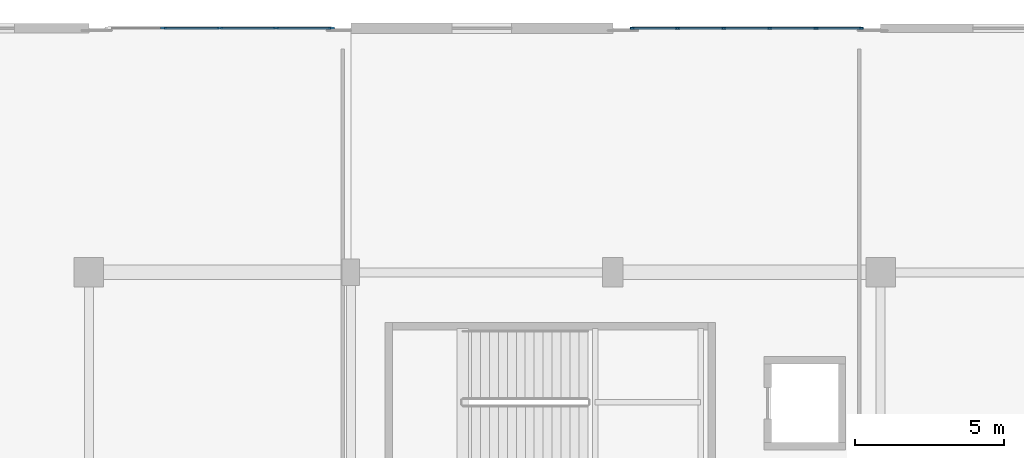
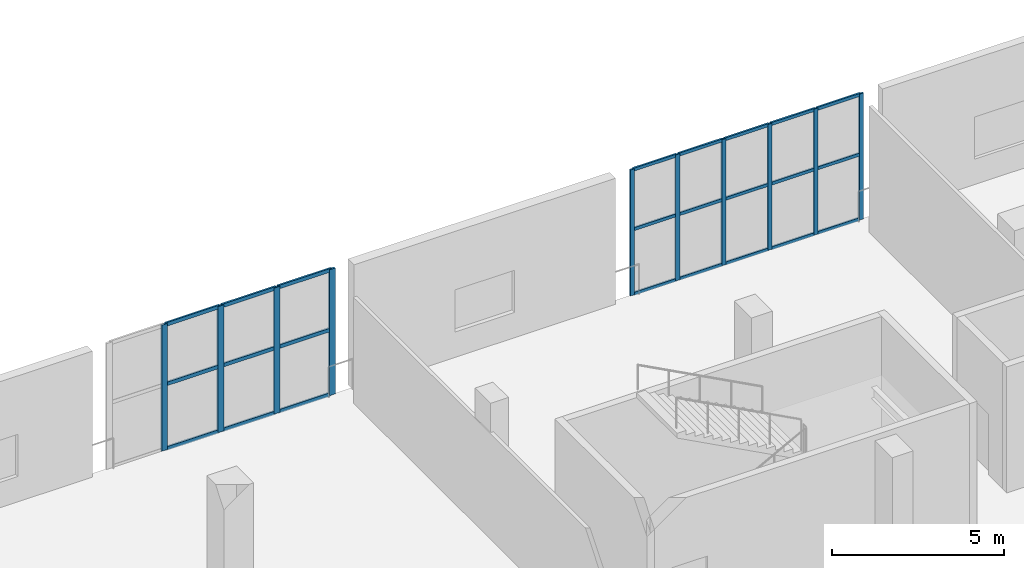
# One storey, part 69 of 142: 34 members, 2 elements without a shape of their own.
"""IFC4 building model written with IfcOpenShell, lengths in metres."""

from ifc_helpers import new_model, si_unit, direction, frame, origin, origin_2d, place, context, subcontext, project, spatial, rectangle, extrude, material, material_profile, profile_set, type_object, element, aggregate, save


model = new_model("IFC4")

# Units and contexts
model_context = context("Model", 3, precision=1e-05, world=origin(), true_north=direction((0.0, 1.0)))
body_context = subcontext(model_context, "Body", "Model", "MODEL_VIEW")
ifc_project = project(units=[si_unit("LENGTHUNIT", "METRE"), si_unit("AREAUNIT", "SQUARE_METRE"), si_unit("VOLUMEUNIT", "CUBIC_METRE"), si_unit("PLANEANGLEUNIT", "RADIAN"), si_unit("MASSUNIT", "GRAM", prefix="KILO")], contexts=[model_context])

# Site, building, storey
site_placement = place(None, origin())
site = spatial("IfcSite", under=ifc_project, at=site_placement, CompositionType="ELEMENT")
building_placement = place(site_placement, origin())
building = spatial("IfcBuilding", under=site, at=building_placement, Name="Koshinbarg Plaza Stadium", CompositionType="ELEMENT")
storey_placement = place(building_placement, frame((0.0, 0.0, 10.199951171875)))
storey = spatial("IfcBuildingStorey", under=building, at=storey_placement, Name="L02", CompositionType="ELEMENT", Elevation=10.199951171875)

# Curtain wall, members
ifc_material_1 = material(Name="Thermally broken anodised aluminium and low-E double glazing", Category="aluminium")
curtain_wall_type_1 = type_object("IfcCurtainWallType", Name="CW-SYS-05", PredefinedType="NOTDEFINED", material=ifc_material_1)
curtain_wall_1_placement = place(storey_placement, origin())
curtain_wall_1 = element("IfcCurtainWall", 1, at=curtain_wall_1_placement, inside=storey, type_object=curtain_wall_type_1, Name="L02 unitised curtain wall CW-L02-052", PredefinedType="NOTDEFINED")
ifc_material_2 = material(Name="Anodised aluminium mullion", Category="aluminium")
ifc_material_profile_1 = material_profile(ifc_material_2, rectangle(XDim=0.06005859375, YDim=0.139892578125, at=origin_2d()), Name="ALU 60x140")
ifc_profile_set_1 = profile_set([ifc_material_profile_1], Name="Anodised aluminium mullion")
member_type_1 = type_object("IfcMemberType", Name="CW-MUL-01", PredefinedType="MULLION", material=ifc_profile_set_1)
member_1_placement = place(storey_placement, frame((181.050048828125, 152.0, 0.0), z_axis=(0.0, 0.0, 1.0), x_axis=(0.0, 1.0, 0.0)))
member_1 = element("IfcMember", 2, at=member_1_placement, type_object=member_type_1, Name="CW05 mullion 1", PredefinedType="MULLION", context=body_context, shape_type="SweptSolid", body=[
    extrude(rectangle(XDim=0.06005859375, YDim=0.139892578125, at=origin_2d()), origin(), (0.0, 0.0, 1.0), 4.47998046875),
])
member_2_placement = place(storey_placement, frame((182.572021484375, 152.0, 0.0), z_axis=(0.0, 0.0, 1.0), x_axis=(0.0, 1.0, 0.0)))
member_2 = element("IfcMember", 3, at=member_2_placement, type_object=member_type_1, Name="CW05 mullion 2", PredefinedType="MULLION", context=body_context, shape_type="SweptSolid", body=[
    extrude(rectangle(XDim=0.06005859375, YDim=0.139892578125, at=origin_2d()), origin(), (0.0, 0.0, 1.0), 4.47998046875),
])
member_3_placement = place(storey_placement, frame((184.1240234375, 152.0, 0.0), z_axis=(0.0, 0.0, 1.0), x_axis=(0.0, 1.0, 0.0)))
member_3 = element("IfcMember", 4, at=member_3_placement, type_object=member_type_1, Name="CW05 mullion 3", PredefinedType="MULLION", context=body_context, shape_type="SweptSolid", body=[
    extrude(rectangle(XDim=0.06005859375, YDim=0.139892578125, at=origin_2d()), origin(), (0.0, 0.0, 1.0), 4.47998046875),
])
member_4_placement = place(storey_placement, frame((185.676025390625, 152.0, 0.0), z_axis=(0.0, 0.0, 1.0), x_axis=(0.0, 1.0, 0.0)))
member_4 = element("IfcMember", 5, at=member_4_placement, type_object=member_type_1, Name="CW05 mullion 4", PredefinedType="MULLION", context=body_context, shape_type="SweptSolid", body=[
    extrude(rectangle(XDim=0.06005859375, YDim=0.139892578125, at=origin_2d()), origin(), (0.0, 0.0, 1.0), 4.47998046875),
])
member_5_placement = place(storey_placement, frame((187.22802734375, 152.0, 0.0), z_axis=(0.0, 0.0, 1.0), x_axis=(0.0, 1.0, 0.0)))
member_5 = element("IfcMember", 6, at=member_5_placement, type_object=member_type_1, Name="CW05 mullion 5", PredefinedType="MULLION", context=body_context, shape_type="SweptSolid", body=[
    extrude(rectangle(XDim=0.06005859375, YDim=0.139892578125, at=origin_2d()), origin(), (0.0, 0.0, 1.0), 4.47998046875),
])
member_6_placement = place(storey_placement, frame((188.75, 152.0, 0.0), z_axis=(0.0, 0.0, 1.0), x_axis=(0.0, 1.0, 0.0)))
member_6 = element("IfcMember", 7, at=member_6_placement, type_object=member_type_1, Name="CW05 mullion 6", PredefinedType="MULLION", context=body_context, shape_type="SweptSolid", body=[
    extrude(rectangle(XDim=0.06005859375, YDim=0.139892578125, at=origin_2d()), origin(), (0.0, 0.0, 1.0), 4.47998046875),
])

curtain_wall_type_2 = type_object("IfcCurtainWallType", Name="CW-SYS-04", PredefinedType="NOTDEFINED", material=ifc_material_1)
curtain_wall_2_placement = place(storey_placement, origin())
curtain_wall_2 = element("IfcCurtainWall", 8, at=curtain_wall_2_placement, inside=storey, type_object=curtain_wall_type_2, Name="L02 unitised curtain wall CW-L02-051", PredefinedType="NOTDEFINED")
ifc_material_profile_2 = material_profile(ifc_material_2, rectangle(XDim=0.070068359375, YDim=0.199951171875, at=origin_2d()), Name="ALU 70x200")
ifc_profile_set_2 = profile_set([ifc_material_profile_2], Name="Anodised aluminium mullion")
member_type_2 = type_object("IfcMemberType", Name="CW-MUL-04", PredefinedType="MULLION", material=ifc_profile_set_2)
member_7_placement = place(storey_placement, frame((165.31005859375, 152.0, 0.0), z_axis=(0.0, 0.0, 1.0), x_axis=(0.0, 1.0, 0.0)))
member_7 = element("IfcMember", 9, at=member_7_placement, type_object=member_type_2, Name="CW04 mullion 2", PredefinedType="MULLION", context=body_context, shape_type="SweptSolid", body=[
    extrude(rectangle(XDim=0.070068359375, YDim=0.199951171875, at=origin_2d()), origin(), (0.0, 0.0, 1.0), 4.47998046875),
])
member_8_placement = place(storey_placement, frame((167.199951171875, 152.0, 0.0), z_axis=(0.0, 0.0, 1.0), x_axis=(0.0, 1.0, 0.0)))
member_8 = element("IfcMember", 10, at=member_8_placement, type_object=member_type_2, Name="CW04 mullion 3", PredefinedType="MULLION", context=body_context, shape_type="SweptSolid", body=[
    extrude(rectangle(XDim=0.070068359375, YDim=0.199951171875, at=origin_2d()), origin(), (0.0, 0.0, 1.0), 4.47998046875),
])
member_9_placement = place(storey_placement, frame((169.090087890625, 152.0, 0.0), z_axis=(0.0, 0.0, 1.0), x_axis=(0.0, 1.0, 0.0)))
member_9 = element("IfcMember", 11, at=member_9_placement, type_object=member_type_2, Name="CW04 mullion 4", PredefinedType="MULLION", context=body_context, shape_type="SweptSolid", body=[
    extrude(rectangle(XDim=0.070068359375, YDim=0.199951171875, at=origin_2d()), origin(), (0.0, 0.0, 1.0), 4.47998046875),
])
member_10_placement = place(storey_placement, frame((170.949951171875, 152.0, 0.0), z_axis=(0.0, 0.0, 1.0), x_axis=(0.0, 1.0, 0.0)))
member_10 = element("IfcMember", 12, at=member_10_placement, type_object=member_type_2, Name="CW04 mullion 5", PredefinedType="MULLION", context=body_context, shape_type="SweptSolid", body=[
    extrude(rectangle(XDim=0.070068359375, YDim=0.199951171875, at=origin_2d()), origin(), (0.0, 0.0, 1.0), 4.47998046875),
])

# Member
ifc_material_3 = material(Name="Anodised aluminium transom", Category="aluminium")
ifc_material_profile_3 = material_profile(ifc_material_3, rectangle(XDim=0.06005859375, YDim=0.110107421875, at=origin_2d()), Name="ALU 60x110")
ifc_profile_set_3 = profile_set([ifc_material_profile_3], Name="Anodised aluminium transom")
member_type_3 = type_object("IfcMemberType", Name="CW-TRN-01", PredefinedType="USERDEFINED", material=ifc_profile_set_3)
member_11_placement = place(storey_placement, frame((181.080078125, 152.0, 0.030029296875), z_axis=(1.0, 0.0, 0.0), x_axis=(0.0, 1.0, 0.0)))
member_11 = element("IfcMember", 13, at=member_11_placement, type_object=member_type_3, Name="CW05 transom 1.1", ObjectType="TRANSOM", PredefinedType="USERDEFINED", context=body_context, shape_type="SweptSolid", body=[
    extrude(rectangle(XDim=0.06005859375, YDim=0.110107421875, at=origin_2d()), origin(), (0.0, 0.0, 1.0), 1.4619140625),
])

member_12_placement = place(storey_placement, frame((181.080078125, 152.0, 2.32958984375), z_axis=(1.0, 0.0, 0.0), x_axis=(0.0, 1.0, 0.0)))
member_12 = element("IfcMember", 14, at=member_12_placement, type_object=member_type_3, Name="CW05 transom 1.2", ObjectType="TRANSOM", PredefinedType="USERDEFINED", context=body_context, shape_type="SweptSolid", body=[
    extrude(rectangle(XDim=0.06005859375, YDim=0.110107421875, at=origin_2d()), origin(), (0.0, 0.0, 1.0), 1.4619140625),
])

member_13_placement = place(storey_placement, frame((181.080078125, 152.0, 4.449951171875), z_axis=(1.0, 0.0, 0.0), x_axis=(0.0, 1.0, 0.0)))
member_13 = element("IfcMember", 15, at=member_13_placement, type_object=member_type_3, Name="CW05 transom 1.3", ObjectType="TRANSOM", PredefinedType="USERDEFINED", context=body_context, shape_type="SweptSolid", body=[
    extrude(rectangle(XDim=0.06005859375, YDim=0.110107421875, at=origin_2d()), origin(), (0.0, 0.0, 1.0), 1.4619140625),
])

member_14_placement = place(storey_placement, frame((182.60205078125, 152.0, 0.030029296875), z_axis=(1.0, 0.0, 0.0), x_axis=(0.0, 1.0, 0.0)))
member_14 = element("IfcMember", 16, at=member_14_placement, type_object=member_type_3, Name="CW05 transom 2.1", ObjectType="TRANSOM", PredefinedType="USERDEFINED", context=body_context, shape_type="SweptSolid", body=[
    extrude(rectangle(XDim=0.06005859375, YDim=0.110107421875, at=origin_2d()), origin(), (0.0, 0.0, 1.0), 1.491943359375),
])

member_15_placement = place(storey_placement, frame((182.60205078125, 152.0, 2.32958984375), z_axis=(1.0, 0.0, 0.0), x_axis=(0.0, 1.0, 0.0)))
member_15 = element("IfcMember", 17, at=member_15_placement, type_object=member_type_3, Name="CW05 transom 2.2", ObjectType="TRANSOM", PredefinedType="USERDEFINED", context=body_context, shape_type="SweptSolid", body=[
    extrude(rectangle(XDim=0.06005859375, YDim=0.110107421875, at=origin_2d()), origin(), (0.0, 0.0, 1.0), 1.491943359375),
])

member_16_placement = place(storey_placement, frame((182.60205078125, 152.0, 4.449951171875), z_axis=(1.0, 0.0, 0.0), x_axis=(0.0, 1.0, 0.0)))
member_16 = element("IfcMember", 18, at=member_16_placement, type_object=member_type_3, Name="CW05 transom 2.3", ObjectType="TRANSOM", PredefinedType="USERDEFINED", context=body_context, shape_type="SweptSolid", body=[
    extrude(rectangle(XDim=0.06005859375, YDim=0.110107421875, at=origin_2d()), origin(), (0.0, 0.0, 1.0), 1.491943359375),
])

member_17_placement = place(storey_placement, frame((184.154052734375, 152.0, 0.030029296875), z_axis=(1.0, 0.0, 0.0), x_axis=(0.0, 1.0, 0.0)))
member_17 = element("IfcMember", 19, at=member_17_placement, type_object=member_type_3, Name="CW05 transom 3.1", ObjectType="TRANSOM", PredefinedType="USERDEFINED", context=body_context, shape_type="SweptSolid", body=[
    extrude(rectangle(XDim=0.06005859375, YDim=0.110107421875, at=origin_2d()), origin(), (0.0, 0.0, 1.0), 1.491943359375),
])

member_18_placement = place(storey_placement, frame((184.154052734375, 152.0, 2.32958984375), z_axis=(1.0, 0.0, 0.0), x_axis=(0.0, 1.0, 0.0)))
member_18 = element("IfcMember", 20, at=member_18_placement, type_object=member_type_3, Name="CW05 transom 3.2", ObjectType="TRANSOM", PredefinedType="USERDEFINED", context=body_context, shape_type="SweptSolid", body=[
    extrude(rectangle(XDim=0.06005859375, YDim=0.110107421875, at=origin_2d()), origin(), (0.0, 0.0, 1.0), 1.491943359375),
])

member_19_placement = place(storey_placement, frame((184.154052734375, 152.0, 4.449951171875), z_axis=(1.0, 0.0, 0.0), x_axis=(0.0, 1.0, 0.0)))
member_19 = element("IfcMember", 21, at=member_19_placement, type_object=member_type_3, Name="CW05 transom 3.3", ObjectType="TRANSOM", PredefinedType="USERDEFINED", context=body_context, shape_type="SweptSolid", body=[
    extrude(rectangle(XDim=0.06005859375, YDim=0.110107421875, at=origin_2d()), origin(), (0.0, 0.0, 1.0), 1.491943359375),
])

member_20_placement = place(storey_placement, frame((185.7060546875, 152.0, 0.030029296875), z_axis=(1.0, 0.0, 0.0), x_axis=(0.0, 1.0, 0.0)))
member_20 = element("IfcMember", 22, at=member_20_placement, type_object=member_type_3, Name="CW05 transom 4.1", ObjectType="TRANSOM", PredefinedType="USERDEFINED", context=body_context, shape_type="SweptSolid", body=[
    extrude(rectangle(XDim=0.06005859375, YDim=0.110107421875, at=origin_2d()), origin(), (0.0, 0.0, 1.0), 1.491943359375),
])

member_21_placement = place(storey_placement, frame((185.7060546875, 152.0, 2.32958984375), z_axis=(1.0, 0.0, 0.0), x_axis=(0.0, 1.0, 0.0)))
member_21 = element("IfcMember", 23, at=member_21_placement, type_object=member_type_3, Name="CW05 transom 4.2", ObjectType="TRANSOM", PredefinedType="USERDEFINED", context=body_context, shape_type="SweptSolid", body=[
    extrude(rectangle(XDim=0.06005859375, YDim=0.110107421875, at=origin_2d()), origin(), (0.0, 0.0, 1.0), 1.491943359375),
])

member_22_placement = place(storey_placement, frame((185.7060546875, 152.0, 4.449951171875), z_axis=(1.0, 0.0, 0.0), x_axis=(0.0, 1.0, 0.0)))
member_22 = element("IfcMember", 24, at=member_22_placement, type_object=member_type_3, Name="CW05 transom 4.3", ObjectType="TRANSOM", PredefinedType="USERDEFINED", context=body_context, shape_type="SweptSolid", body=[
    extrude(rectangle(XDim=0.06005859375, YDim=0.110107421875, at=origin_2d()), origin(), (0.0, 0.0, 1.0), 1.491943359375),
])

member_23_placement = place(storey_placement, frame((187.258056640625, 152.0, 0.030029296875), z_axis=(1.0, 0.0, 0.0), x_axis=(0.0, 1.0, 0.0)))
member_23 = element("IfcMember", 25, at=member_23_placement, type_object=member_type_3, Name="CW05 transom 5.1", ObjectType="TRANSOM", PredefinedType="USERDEFINED", context=body_context, shape_type="SweptSolid", body=[
    extrude(rectangle(XDim=0.06005859375, YDim=0.110107421875, at=origin_2d()), origin(), (0.0, 0.0, 1.0), 1.4619140625),
])

member_24_placement = place(storey_placement, frame((187.258056640625, 152.0, 2.32958984375), z_axis=(1.0, 0.0, 0.0), x_axis=(0.0, 1.0, 0.0)))
member_24 = element("IfcMember", 26, at=member_24_placement, type_object=member_type_3, Name="CW05 transom 5.2", ObjectType="TRANSOM", PredefinedType="USERDEFINED", context=body_context, shape_type="SweptSolid", body=[
    extrude(rectangle(XDim=0.06005859375, YDim=0.110107421875, at=origin_2d()), origin(), (0.0, 0.0, 1.0), 1.4619140625),
])

member_25_placement = place(storey_placement, frame((187.258056640625, 152.0, 4.449951171875), z_axis=(1.0, 0.0, 0.0), x_axis=(0.0, 1.0, 0.0)))
member_25 = element("IfcMember", 27, at=member_25_placement, type_object=member_type_3, Name="CW05 transom 5.3", ObjectType="TRANSOM", PredefinedType="USERDEFINED", context=body_context, shape_type="SweptSolid", body=[
    extrude(rectangle(XDim=0.06005859375, YDim=0.110107421875, at=origin_2d()), origin(), (0.0, 0.0, 1.0), 1.4619140625),
])

aggregate(curtain_wall_1, [member_1, member_2, member_3, member_4, member_5, member_6, member_11, member_12, member_13, member_14, member_15, member_16, member_17, member_18, member_19, member_20, member_21, member_22, member_23, member_24, member_25])

ifc_material_profile_4 = material_profile(ifc_material_3, rectangle(XDim=0.06005859375, YDim=0.1298828125, at=origin_2d()), Name="ALU 60x130")
ifc_profile_set_4 = profile_set([ifc_material_profile_4], Name="Anodised aluminium transom")
member_type_4 = type_object("IfcMemberType", Name="CW-TRN-02", PredefinedType="USERDEFINED", material=ifc_profile_set_4)
member_26_placement = place(storey_placement, frame((165.340087890625, 152.0, 0.030029296875), z_axis=(1.0, 0.0, 0.0), x_axis=(0.0, 1.0, 0.0)))
member_26 = element("IfcMember", 28, at=member_26_placement, type_object=member_type_4, Name="CW04 transom 2.1", ObjectType="TRANSOM", PredefinedType="USERDEFINED", context=body_context, shape_type="SweptSolid", body=[
    extrude(rectangle(XDim=0.06005859375, YDim=0.1298828125, at=origin_2d()), origin(), (0.0, 0.0, 1.0), 1.829833984375),
])

member_27_placement = place(storey_placement, frame((165.340087890625, 152.0, 2.32958984375), z_axis=(1.0, 0.0, 0.0), x_axis=(0.0, 1.0, 0.0)))
member_27 = element("IfcMember", 29, at=member_27_placement, type_object=member_type_4, Name="CW04 transom 2.2", ObjectType="TRANSOM", PredefinedType="USERDEFINED", context=body_context, shape_type="SweptSolid", body=[
    extrude(rectangle(XDim=0.06005859375, YDim=0.1298828125, at=origin_2d()), origin(), (0.0, 0.0, 1.0), 1.829833984375),
])

member_28_placement = place(storey_placement, frame((165.340087890625, 152.0, 4.449951171875), z_axis=(1.0, 0.0, 0.0), x_axis=(0.0, 1.0, 0.0)))
member_28 = element("IfcMember", 30, at=member_28_placement, type_object=member_type_4, Name="CW04 transom 2.3", ObjectType="TRANSOM", PredefinedType="USERDEFINED", context=body_context, shape_type="SweptSolid", body=[
    extrude(rectangle(XDim=0.06005859375, YDim=0.1298828125, at=origin_2d()), origin(), (0.0, 0.0, 1.0), 1.829833984375),
])

member_29_placement = place(storey_placement, frame((167.22998046875, 152.0, 0.030029296875), z_axis=(1.0, 0.0, 0.0), x_axis=(0.0, 1.0, 0.0)))
member_29 = element("IfcMember", 31, at=member_29_placement, type_object=member_type_4, Name="CW04 transom 3.1", ObjectType="TRANSOM", PredefinedType="USERDEFINED", context=body_context, shape_type="SweptSolid", body=[
    extrude(rectangle(XDim=0.06005859375, YDim=0.1298828125, at=origin_2d()), origin(), (0.0, 0.0, 1.0), 1.830078125),
])

member_30_placement = place(storey_placement, frame((167.22998046875, 152.0, 2.32958984375), z_axis=(1.0, 0.0, 0.0), x_axis=(0.0, 1.0, 0.0)))
member_30 = element("IfcMember", 32, at=member_30_placement, type_object=member_type_4, Name="CW04 transom 3.2", ObjectType="TRANSOM", PredefinedType="USERDEFINED", context=body_context, shape_type="SweptSolid", body=[
    extrude(rectangle(XDim=0.06005859375, YDim=0.1298828125, at=origin_2d()), origin(), (0.0, 0.0, 1.0), 1.830078125),
])

member_31_placement = place(storey_placement, frame((167.22998046875, 152.0, 4.449951171875), z_axis=(1.0, 0.0, 0.0), x_axis=(0.0, 1.0, 0.0)))
member_31 = element("IfcMember", 33, at=member_31_placement, type_object=member_type_4, Name="CW04 transom 3.3", ObjectType="TRANSOM", PredefinedType="USERDEFINED", context=body_context, shape_type="SweptSolid", body=[
    extrude(rectangle(XDim=0.06005859375, YDim=0.1298828125, at=origin_2d()), origin(), (0.0, 0.0, 1.0), 1.830078125),
])

member_32_placement = place(storey_placement, frame((169.1201171875, 152.0, 0.030029296875), z_axis=(1.0, 0.0, 0.0), x_axis=(0.0, 1.0, 0.0)))
member_32 = element("IfcMember", 34, at=member_32_placement, type_object=member_type_4, Name="CW04 transom 4.1", ObjectType="TRANSOM", PredefinedType="USERDEFINED", context=body_context, shape_type="SweptSolid", body=[
    extrude(rectangle(XDim=0.06005859375, YDim=0.1298828125, at=origin_2d()), origin(), (0.0, 0.0, 1.0), 1.7998046875),
])

member_33_placement = place(storey_placement, frame((169.1201171875, 152.0, 2.32958984375), z_axis=(1.0, 0.0, 0.0), x_axis=(0.0, 1.0, 0.0)))
member_33 = element("IfcMember", 35, at=member_33_placement, type_object=member_type_4, Name="CW04 transom 4.2", ObjectType="TRANSOM", PredefinedType="USERDEFINED", context=body_context, shape_type="SweptSolid", body=[
    extrude(rectangle(XDim=0.06005859375, YDim=0.1298828125, at=origin_2d()), origin(), (0.0, 0.0, 1.0), 1.7998046875),
])

member_34_placement = place(storey_placement, frame((169.1201171875, 152.0, 4.449951171875), z_axis=(1.0, 0.0, 0.0), x_axis=(0.0, 1.0, 0.0)))
member_34 = element("IfcMember", 36, at=member_34_placement, type_object=member_type_4, Name="CW04 transom 4.3", ObjectType="TRANSOM", PredefinedType="USERDEFINED", context=body_context, shape_type="SweptSolid", body=[
    extrude(rectangle(XDim=0.06005859375, YDim=0.1298828125, at=origin_2d()), origin(), (0.0, 0.0, 1.0), 1.7998046875),
])

aggregate(curtain_wall_2, [member_7, member_8, member_9, member_10, member_26, member_27, member_28, member_29, member_30, member_31, member_32, member_33, member_34])

save(model, "model.ifc")
